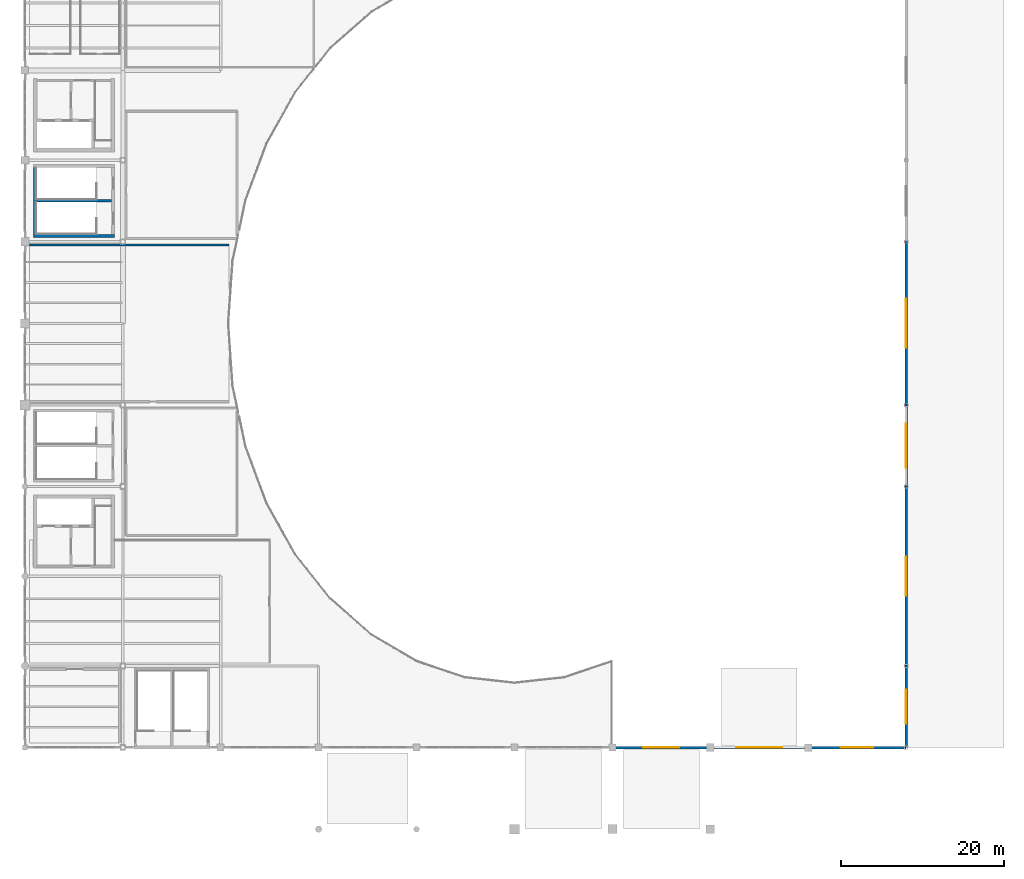
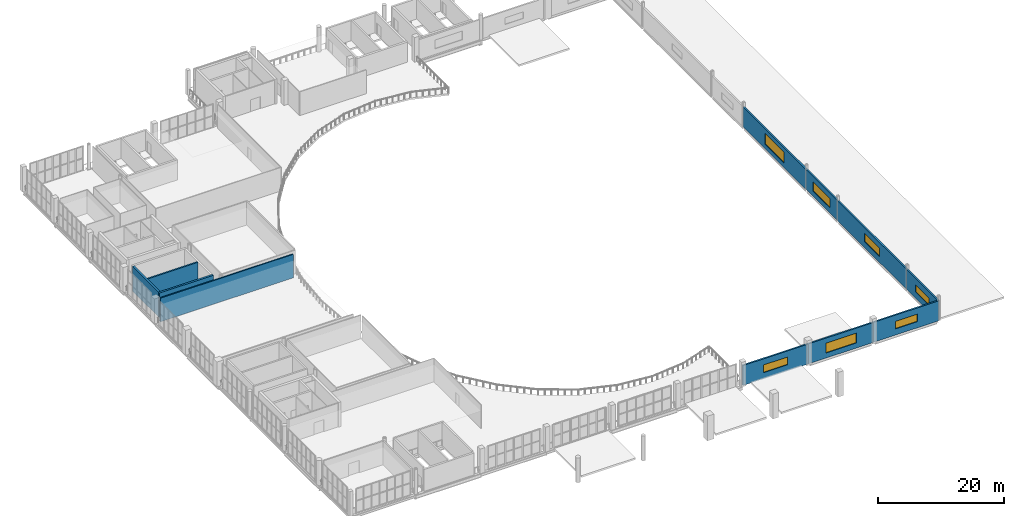
# One storey, part 38 of 49: 11 walls, 7 windows, 7 openings.
"""IFC4 building model written with IfcOpenShell, lengths in metres."""

import ifcopenshell
import ifcopenshell.guid

model = None  # the IFC model being written
_history = None  # IfcOwnerHistory: only IFC2X3 demands one
_inside = {}  # id of a spatial element -> (the spatial element, [elements in it])
_under = {}  # id of a project, library or spatial element -> (it, [spatial elements below it])
_declared = {}  # id of a project -> (the project, [libraries it declares])
_typed = {}  # id of a type object -> (the type object, [elements of that type])
_made_of = {}  # id of a material, layer set ... -> (it, [elements and type objects made of it])


def new_model(schema):
    """Start an empty IFC model of exactly this schema.

    Asked for "IFC4X3", IfcOpenShell would pick the latest addendum, in which some entities
    have other attributes; the version numbers below select the first issue.
    IFC2X3 requires an IfcOwnerHistory on every rooted entity: one is made here for all.
    """
    global model, _history
    if schema == "IFC4X3":
        model = ifcopenshell.file(schema_version=(4, 3, 0, 0))
    else:
        model = ifcopenshell.file(schema=schema)
    _inside.clear()
    _under.clear()
    _declared.clear()
    _typed.clear()
    _made_of.clear()
    _history = None
    if model.schema == "IFC2X3":
        org = make("IfcOrganization", Name="unknown")
        user = make(
            "IfcPersonAndOrganization",
            ThePerson=make("IfcPerson", FamilyName="unknown"),
            TheOrganization=org,
        )
        app = make(
            "IfcApplication",
            ApplicationDeveloper=org,
            Version="unknown",
            ApplicationFullName="unknown",
            ApplicationIdentifier="unknown",
        )
        _history = make(
            "IfcOwnerHistory",
            OwningUser=user,
            OwningApplication=app,
            ChangeAction="ADDED",
            CreationDate=0,
        )
    return model


def make(cls, **values):
    """One entity of the class cls with the attributes given. An attribute that is None is left unset."""
    return model.create_entity(
        cls, **{name: value for name, value in values.items() if value is not None}
    )


def rooted(cls, **values):
    """An entity with a GlobalId (a new one), such as an element, a storey or a relation."""
    return make(cls, GlobalId=ifcopenshell.guid.new(), OwnerHistory=_history, **values)


def si_unit(unit_type, name, prefix=None):
    """IfcSIUnit, for example si_unit("LENGTHUNIT", "METRE", prefix="MILLI")."""
    return make("IfcSIUnit", UnitType=unit_type, Prefix=prefix, Name=name)


def assignment(units):
    """IfcUnitAssignment: the units of a project."""
    return None if units is None else make("IfcUnitAssignment", Units=units)


def point(xyz):
    """IfcCartesianPoint."""
    return None if xyz is None else make("IfcCartesianPoint", Coordinates=xyz)


def direction(xyz):
    """IfcDirection."""
    return None if xyz is None else make("IfcDirection", DirectionRatios=xyz)


def frame(location, z_axis=None, x_axis=None):
    """IfcAxis2Placement3D, a coordinate frame: its origin and axes. An axis left out is left unset."""
    return make(
        "IfcAxis2Placement3D",
        Location=point(location),
        Axis=direction(z_axis),
        RefDirection=direction(x_axis),
    )


def frame_2d(location, x_axis=None):
    """IfcAxis2Placement2D, a coordinate frame in the plane: its origin and x axis."""
    return make(
        "IfcAxis2Placement2D", Location=point(location), RefDirection=direction(x_axis)
    )


def origin():
    """The frame at (0, 0, 0) with its axes left unset."""
    return frame((0.0, 0.0, 0.0))


def place(relative_to, where):
    """IfcLocalPlacement: puts the frame where relative to a parent placement (None: the world)."""
    return make(
        "IfcLocalPlacement", PlacementRelTo=relative_to, RelativePlacement=where
    )


def context(
    kind, dimensions, precision=None, world=None, true_north=None, identifier=None
):
    """IfcGeometricRepresentationContext, for example the 3D "Model" context."""
    return make(
        "IfcGeometricRepresentationContext",
        ContextIdentifier=identifier,
        ContextType=kind,
        CoordinateSpaceDimension=dimensions,
        Precision=precision,
        WorldCoordinateSystem=world,
        TrueNorth=true_north,
    )


def subcontext(parent, identifier, kind, view, scale=None):
    """IfcGeometricRepresentationSubContext, for example "Body" below "Model"."""
    return make(
        "IfcGeometricRepresentationSubContext",
        ContextIdentifier=identifier,
        ContextType=kind,
        ParentContext=parent,
        TargetScale=scale,
        TargetView=view,
    )


def project(units=None, contexts=None):
    """IfcProject with its units and contexts."""
    return rooted(
        "IfcProject",
        Name="project",
        RepresentationContexts=contexts,
        UnitsInContext=assignment(units),
    )


def spatial(cls, under=None, at=None, **own):
    """A site, building, storey or space (cls), placed at a placement, below another one or the project."""
    s = rooted(cls, ObjectPlacement=at, **own)
    if under is not None:
        _under.setdefault(under.id(), (under, []))[1].append(s)
    return s


def profile(cls, at=None, kind="AREA", **sizes):
    """A parametric profile (cls). Its sizes go by their IFC names, for example OverallWidth=200.0."""
    return make(cls, ProfileType=kind, Position=at, **sizes)


def rectangle(**sizes):
    """IfcRectangleProfileDef."""
    return profile("IfcRectangleProfileDef", **sizes)


def extrude(swept, where, along, depth):
    """IfcExtrudedAreaSolid: the profile swept, set in the frame where, extruded along a direction by depth."""
    return make(
        "IfcExtrudedAreaSolid",
        SweptArea=swept,
        Position=where,
        ExtrudedDirection=direction(along),
        Depth=depth,
    )


def shape(context_of_items, identifier, shape_type, items):
    """IfcShapeRepresentation: the items that make up one representation, for example the "Body"."""
    return make(
        "IfcShapeRepresentation",
        ContextOfItems=context_of_items,
        RepresentationIdentifier=identifier,
        RepresentationType=shape_type,
        Items=items,
    )


def material(Name=None, Category=None):
    """IfcMaterial."""
    return make("IfcMaterial", Name=Name, Category=Category)


def layer(
    of_material, thickness, ventilated=None, Name=None, Category=None, Priority=None
):
    """IfcMaterialLayer: one layer of a wall or slab, of a material (None: an air gap)."""
    return make(
        "IfcMaterialLayer",
        Material=of_material,
        LayerThickness=thickness,
        IsVentilated=ventilated,
        Name=Name,
        Category=Category,
        Priority=Priority,
    )


def layer_set(layers, Name=None):
    """IfcMaterialLayerSet."""
    return make("IfcMaterialLayerSet", MaterialLayers=layers, LayerSetName=Name)


def made_of(thing, what):
    """Note that an element or type object is made of a material, layer set ...; save() writes the relation."""
    if what is not None:
        _made_of.setdefault(what.id(), (what, []))[1].append(thing)
    return thing


def type_object(cls, material=None, **own):
    """A type object (cls), such as IfcWallType, which elements share."""
    return made_of(rooted(cls, **own), material)


def element(
    cls,
    number,
    at=None,
    inside=None,
    cuts=None,
    type_object=None,
    material=None,
    context=None,
    identifier="Body",
    shape_type=None,
    held_by="IfcProductDefinitionShape",
    body=None,
    shapes=None,
    **own,
):
    """One element of the class cls, such as IfcWall. Its Tag is "e" and its number.

    at: its placement. inside: the storey or other place that contains it. cuts: it is an
    opening in that element (IfcRelVoidsElement). A single representation is given by context,
    identifier, shape_type and body (its items); several are given by shapes. held_by: the class
    of the entity that holds the representations. save() writes the other relations.
    """
    e = rooted(cls, Tag="e%d" % number, ObjectPlacement=at, **own)
    if body is not None:
        shapes = [shape(context, identifier, shape_type, body)]
    if shapes is not None:
        e.Representation = make(held_by, Representations=shapes)
    if inside is not None:
        _inside.setdefault(inside.id(), (inside, []))[1].append(e)
    if cuts is not None:
        rooted(
            "IfcRelVoidsElement", RelatingBuildingElement=cuts, RelatedOpeningElement=e
        )
    if type_object is not None:
        _typed.setdefault(type_object.id(), (type_object, []))[1].append(e)
    return made_of(e, material)


def fill(opening, filler):
    """IfcRelFillsElement: the door or window that sits in an opening."""
    return rooted(
        "IfcRelFillsElement",
        RelatingOpeningElement=opening,
        RelatedBuildingElement=filler,
    )


def aggregate(whole, parts):
    """IfcRelAggregates: a whole, such as a stair, and the parts it consists of."""
    return rooted("IfcRelAggregates", RelatingObject=whole, RelatedObjects=parts)


def save(model, path):
    """Write the relations noted so far, then the file.

    IfcRelAggregates (storeys below a building ...), IfcRelContainedInSpatialStructure (elements
    in a storey), IfcRelDefinesByType, IfcRelAssociatesMaterial and IfcRelDeclares: one each for
    every whole, place, type object, material and project.
    """
    for whole, parts in _under.values():
        aggregate(whole, parts)
    for where, things in _inside.values():
        rooted(
            "IfcRelContainedInSpatialStructure",
            RelatedElements=things,
            RelatingStructure=where,
        )
    for kind, things in _typed.values():
        rooted("IfcRelDefinesByType", RelatedObjects=things, RelatingType=kind)
    for what, things in _made_of.values():
        rooted("IfcRelAssociatesMaterial", RelatedObjects=things, RelatingMaterial=what)
    for by, libraries in _declared.values():
        rooted("IfcRelDeclares", RelatingContext=by, RelatedDefinitions=libraries)
    model.write(path)


model = new_model("IFC4")

# Units and contexts
model_context = context("Model", 3, precision=1e-05, world=origin(), true_north=direction((0.0, 1.0)))
body_context = subcontext(model_context, "Body", "Model", "MODEL_VIEW")
ifc_project = project(units=[si_unit("LENGTHUNIT", "METRE"), si_unit("AREAUNIT", "SQUARE_METRE"), si_unit("VOLUMEUNIT", "CUBIC_METRE"), si_unit("PLANEANGLEUNIT", "RADIAN"), si_unit("MASSUNIT", "GRAM", prefix="KILO")], contexts=[model_context])

# Site, building, storey
site_placement = place(None, origin())
site = spatial("IfcSite", under=ifc_project, at=site_placement, CompositionType="ELEMENT")
building_placement = place(site_placement, origin())
building = spatial("IfcBuilding", under=site, at=building_placement, Name="Brinegate Civic Arena", CompositionType="ELEMENT")
storey_placement = place(building_placement, frame((0.0, 0.0, 24.60009765625)))
storey = spatial("IfcBuildingStorey", under=building, at=storey_placement, Name="L05", CompositionType="ELEMENT", Elevation=24.60009765625)

# Walls
ifc_material_1 = material(Name="Concrete C50/60", Category="concrete")
ifc_layer_1 = layer(ifc_material_1, 0.35009765625, Name="Concrete C50/60")
ifc_layer_set_1 = layer_set([ifc_layer_1], Name="Concrete C50/60")
wall_type_1 = type_object("IfcWallType", Name="WALL-CORE-SHEAR-350", PredefinedType="SHEAR", material=ifc_layer_set_1)
wall_1_placement = place(storey_placement, frame((49.02490234375, 72.699951171875, 0.0), z_axis=(0.0, 0.0, 1.0), x_axis=(1.0, 0.0, 0.0)))
element("IfcWall", 1, at=wall_1_placement, inside=storey, type_object=wall_type_1, Name="Stair ST-07 South Shear Wall L05 (WBC-93)", PredefinedType="SHEAR", context=body_context, shape_type="SweptSolid", body=[
    extrude(rectangle(XDim=9.9501953125, YDim=0.35009765625, at=frame_2d((4.97509765625, 0.0))), origin(), (0.0, 0.0, 1.0), 4.7998046875),
])
wall_2_placement = place(storey_placement, frame((49.199951171875, 72.875, 0.0), z_axis=(0.0, 0.0, 1.0), x_axis=(0.0, 1.0, 0.0)))
element("IfcWall", 2, at=wall_2_placement, inside=storey, type_object=wall_type_1, Name="Stair ST-07 West Shear Wall L05 (WBC-95)", PredefinedType="SHEAR", context=body_context, shape_type="SweptSolid", body=[
    extrude(rectangle(XDim=8.25, YDim=0.35009765625, at=frame_2d((4.125, 0.0))), origin(), (0.0, 0.0, 1.0), 4.7998046875),
])

# Wall, opening, window
ifc_material_2 = material(Name="Precast concrete C45/55", Category="concrete")
ifc_layer_2 = layer(ifc_material_2, 0.284912109375, Name="Precast concrete C45/55")
ifc_layer_set_2 = layer_set([ifc_layer_2], Name="Precast concrete C45/55")
wall_type_2 = type_object("IfcWallType", Name="WALL-EXT-PRECAST-285", PredefinedType="SOLIDWALL", material=ifc_layer_set_2)
wall_3_placement = place(storey_placement, frame((156.0, 10.0, 0.0), z_axis=(0.0, 0.0, 1.0), x_axis=(0.0, 1.0, 0.0)))
wall_3 = element("IfcWall", 3, at=wall_3_placement, inside=storey, type_object=wall_type_2, Name="Space-Frame Crown Wall EW-L05-EDRM-1 (WBA-48)", PredefinedType="SOLIDWALL", context=body_context, shape_type="SweptSolid", body=[
    extrude(rectangle(XDim=10.0, YDim=0.284912109375, at=frame_2d((5.0, 0.0))), origin(), (0.0, 0.0, 1.0), 3.8798828125),
])
opening_1_placement = place(wall_3_placement, frame((2.89990234375, 0.0, 1.239990234375)))
opening_1 = element("IfcOpeningElement", 4, at=opening_1_placement, cuts=wall_3, Name="Opening WN-0033", PredefinedType="OPENING", context=body_context, shape_type="SweptSolid", body=[
    extrude(rectangle(XDim=4.199951171875, YDim=1.39990234375, at=frame_2d((2.10009765625, 0.699951171875))), frame((0.0, 0.15234375, 0.0), z_axis=(0.0, -1.0, 0.0), x_axis=(1.0, 0.0, 0.0)), (0.0, 0.0, 1.0), 0.304931640625),
])
ifc_material_3 = material(Name="Hurricane laminated low-E glass", Category="glass")
window_type_1 = type_object("IfcWindowType", Name="WIN-CLERESTORY-4200X1400", PartitioningType="SINGLE_PANEL", PredefinedType="WINDOW", material=ifc_material_3)
window_1_placement = place(opening_1_placement, origin())
window_1 = element("IfcWindow", 5, at=window_1_placement, inside=storey, type_object=window_type_1, Name="Clerestory Window WN-0033", OverallHeight=1.39990234375, OverallWidth=4.199951171875, PartitioningType="SINGLE_PANEL", PredefinedType="WINDOW", context=body_context, shape_type="SweptSolid", body=[
    extrude(rectangle(XDim=4.199951171875, YDim=1.39990234375, at=frame_2d((2.10009765625, 0.699951171875))), frame((0.0, 0.030029296875, 0.0), z_axis=(0.0, -1.0, 0.0), x_axis=(1.0, 0.0, 0.0)), (0.0, 0.0, 1.0), 0.06005859375),
])
fill(opening_1, window_1)

wall_4_placement = place(storey_placement, frame((156.0, 20.0, 0.0), z_axis=(0.0, 0.0, 1.0), x_axis=(0.0, 1.0, 0.0)))
wall_4 = element("IfcWall", 6, at=wall_4_placement, inside=storey, type_object=wall_type_2, Name="Space-Frame Crown Wall EW-L05-EDRM-2 (WBA-52)", PredefinedType="SOLIDWALL", context=body_context, shape_type="SweptSolid", body=[
    extrude(rectangle(XDim=22.0, YDim=0.284912109375, at=frame_2d((11.0, 0.0))), origin(), (0.0, 0.0, 1.0), 3.8798828125),
])
opening_2_placement = place(wall_4_placement, frame((8.60009765625, 0.0, 1.139892578125)))
opening_2 = element("IfcOpeningElement", 7, at=opening_2_placement, cuts=wall_4, Name="Opening WN-0034", PredefinedType="OPENING", context=body_context, shape_type="SweptSolid", body=[
    extrude(rectangle(XDim=4.800048828125, YDim=1.60009765625, at=frame_2d((2.39990234375, 0.800048828125))), frame((0.0, 0.15234375, 0.0), z_axis=(0.0, -1.0, 0.0), x_axis=(1.0, 0.0, 0.0)), (0.0, 0.0, 1.0), 0.304931640625),
])
window_type_2 = type_object("IfcWindowType", Name="WIN-CLERESTORY-4800X1600", PartitioningType="SINGLE_PANEL", PredefinedType="WINDOW", material=ifc_material_3)
window_2_placement = place(opening_2_placement, origin())
window_2 = element("IfcWindow", 8, at=window_2_placement, inside=storey, type_object=window_type_2, Name="Clerestory Window WN-0034", OverallHeight=1.60009765625, OverallWidth=4.800048828125, PartitioningType="SINGLE_PANEL", PredefinedType="WINDOW", context=body_context, shape_type="SweptSolid", body=[
    extrude(rectangle(XDim=4.800048828125, YDim=1.60009765625, at=frame_2d((2.39990234375, 0.800048828125))), frame((0.0, 0.030029296875, 0.0), z_axis=(0.0, -1.0, 0.0), x_axis=(1.0, 0.0, 0.0)), (0.0, 0.0, 1.0), 0.06005859375),
])
fill(opening_2, window_2)

wall_5_placement = place(storey_placement, frame((156.0, 42.0, 0.0), z_axis=(0.0, 0.0, 1.0), x_axis=(0.0, 1.0, 0.0)))
wall_5 = element("IfcWall", 9, at=wall_5_placement, inside=storey, type_object=wall_type_2, Name="Space-Frame Crown Wall EW-L05-EDRM-3 (WBA-56)", PredefinedType="SOLIDWALL", context=body_context, shape_type="SweptSolid", body=[
    extrude(rectangle(XDim=10.0, YDim=0.284912109375, at=frame_2d((5.0, 0.0))), origin(), (0.0, 0.0, 1.0), 3.8798828125),
])
opening_3_placement = place(wall_5_placement, frame((2.300048828125, 0.0, 1.0400390625)))
opening_3 = element("IfcOpeningElement", 10, at=opening_3_placement, cuts=wall_5, Name="Opening WN-0035", PredefinedType="OPENING", context=body_context, shape_type="SweptSolid", body=[
    extrude(rectangle(XDim=5.39990234375, YDim=1.800048828125, at=frame_2d((2.699951171875, 0.89990234375))), frame((0.0, 0.15234375, 0.0), z_axis=(0.0, -1.0, 0.0), x_axis=(1.0, 0.0, 0.0)), (0.0, 0.0, 1.0), 0.304931640625),
])
window_type_3 = type_object("IfcWindowType", Name="WIN-CLERESTORY-5400X1800", PartitioningType="SINGLE_PANEL", PredefinedType="WINDOW", material=ifc_material_3)
window_3_placement = place(opening_3_placement, origin())
window_3 = element("IfcWindow", 11, at=window_3_placement, inside=storey, type_object=window_type_3, Name="Clerestory Window WN-0035", OverallHeight=1.800048828125, OverallWidth=5.39990234375, PartitioningType="SINGLE_PANEL", PredefinedType="WINDOW", context=body_context, shape_type="SweptSolid", body=[
    extrude(rectangle(XDim=5.39990234375, YDim=1.800048828125, at=frame_2d((2.699951171875, 0.89990234375))), frame((0.0, 0.030029296875, 0.0), z_axis=(0.0, -1.0, 0.0), x_axis=(1.0, 0.0, 0.0)), (0.0, 0.0, 1.0), 0.06005859375),
])
fill(opening_3, window_3)

wall_6_placement = place(storey_placement, frame((156.0, 52.0, 0.0), z_axis=(0.0, 0.0, 1.0), x_axis=(0.0, 1.0, 0.0)))
wall_6 = element("IfcWall", 12, at=wall_6_placement, inside=storey, type_object=wall_type_2, Name="Space-Frame Crown Wall EW-L05-EDRM-4 (WBA-60)", PredefinedType="SOLIDWALL", context=body_context, shape_type="SweptSolid", body=[
    extrude(rectangle(XDim=20.0, YDim=0.284912109375, at=frame_2d((10.0, 0.0))), origin(), (0.0, 0.0, 1.0), 3.8798828125),
])
opening_4_placement = place(wall_6_placement, frame((7.0, 0.0, 0.889892578125)))
opening_4 = element("IfcOpeningElement", 13, at=opening_4_placement, cuts=wall_6, Name="Opening WN-0036", PredefinedType="OPENING", context=body_context, shape_type="SweptSolid", body=[
    extrude(rectangle(XDim=6.0, YDim=2.10009765625, at=frame_2d((3.0, 1.050048828125))), frame((0.0, 0.15234375, 0.0), z_axis=(0.0, -1.0, 0.0), x_axis=(1.0, 0.0, 0.0)), (0.0, 0.0, 1.0), 0.304931640625),
])
window_type_4 = type_object("IfcWindowType", Name="WIN-CLERESTORY-6000X2100", PartitioningType="SINGLE_PANEL", PredefinedType="WINDOW", material=ifc_material_3)
window_4_placement = place(opening_4_placement, origin())
window_4 = element("IfcWindow", 14, at=window_4_placement, inside=storey, type_object=window_type_4, Name="Clerestory Window WN-0036", OverallHeight=2.10009765625, OverallWidth=6.0, PartitioningType="SINGLE_PANEL", PredefinedType="WINDOW", context=body_context, shape_type="SweptSolid", body=[
    extrude(rectangle(XDim=6.0, YDim=2.10009765625, at=frame_2d((3.0, 1.050048828125))), frame((0.0, 0.030029296875, 0.0), z_axis=(0.0, -1.0, 0.0), x_axis=(1.0, 0.0, 0.0)), (0.0, 0.0, 1.0), 0.06005859375),
])
fill(opening_4, window_4)

wall_7_placement = place(storey_placement, frame((120.0, 10.0, 0.0), z_axis=(0.0, 0.0, 1.0), x_axis=(1.0, 0.0, 0.0)))
wall_7 = element("IfcWall", 15, at=wall_7_placement, inside=storey, type_object=wall_type_2, Name="Space-Frame Crown Wall EW-L05-GBL-S06 (WBA-84)", PredefinedType="SOLIDWALL", context=body_context, shape_type="SweptSolid", body=[
    extrude(rectangle(XDim=12.0, YDim=0.284912109375, at=frame_2d((6.0, 0.0))), origin(), (0.0, 0.0, 1.0), 3.8798828125),
])
opening_5_placement = place(wall_7_placement, frame((3.800048828125, 0.0, 1.18994140625)))
opening_5 = element("IfcOpeningElement", 16, at=opening_5_placement, cuts=wall_7, Name="Opening WN-0040", PredefinedType="OPENING", context=body_context, shape_type="SweptSolid", body=[
    extrude(rectangle(XDim=4.39990234375, YDim=1.5, at=frame_2d((2.199951171875, 0.75))), frame((0.0, 0.15234375, 0.0), z_axis=(0.0, -1.0, 0.0), x_axis=(1.0, 0.0, 0.0)), (0.0, 0.0, 1.0), 0.304931640625),
])
window_type_5 = type_object("IfcWindowType", Name="WIN-CLERESTORY-4400X1500", PartitioningType="SINGLE_PANEL", PredefinedType="WINDOW", material=ifc_material_3)
window_5_placement = place(opening_5_placement, origin())
window_5 = element("IfcWindow", 17, at=window_5_placement, inside=storey, type_object=window_type_5, Name="Clerestory Window WN-0040", OverallHeight=1.5, OverallWidth=4.39990234375, PartitioningType="SINGLE_PANEL", PredefinedType="WINDOW", context=body_context, shape_type="SweptSolid", body=[
    extrude(rectangle(XDim=4.39990234375, YDim=1.5, at=frame_2d((2.199951171875, 0.75))), frame((0.0, 0.030029296875, 0.0), z_axis=(0.0, -1.0, 0.0), x_axis=(1.0, 0.0, 0.0)), (0.0, 0.0, 1.0), 0.06005859375),
])
fill(opening_5, window_5)

wall_8_placement = place(storey_placement, frame((132.0, 10.0, 0.0), z_axis=(0.0, 0.0, 1.0), x_axis=(1.0, 0.0, 0.0)))
wall_8 = element("IfcWall", 18, at=wall_8_placement, inside=storey, type_object=wall_type_2, Name="Space-Frame Crown Wall EW-L05-GBL-S07 (WBA-88)", PredefinedType="SOLIDWALL", context=body_context, shape_type="SweptSolid", body=[
    extrude(rectangle(XDim=12.0, YDim=0.284912109375, at=frame_2d((6.0, 0.0))), origin(), (0.0, 0.0, 1.0), 3.8798828125),
])
opening_6_placement = place(wall_8_placement, frame((3.199951171875, 0.0, 0.989990234375)))
opening_6 = element("IfcOpeningElement", 19, at=opening_6_placement, cuts=wall_8, Name="Opening WN-0042", PredefinedType="OPENING", context=body_context, shape_type="SweptSolid", body=[
    extrude(rectangle(XDim=5.60009765625, YDim=1.89990234375, at=frame_2d((2.800048828125, 0.949951171875))), frame((0.0, 0.15234375, 0.0), z_axis=(0.0, -1.0, 0.0), x_axis=(1.0, 0.0, 0.0)), (0.0, 0.0, 1.0), 0.304931640625),
])
window_type_6 = type_object("IfcWindowType", Name="WIN-CLERESTORY-5600X1900", PartitioningType="SINGLE_PANEL", PredefinedType="WINDOW", material=ifc_material_3)
window_6_placement = place(opening_6_placement, origin())
window_6 = element("IfcWindow", 20, at=window_6_placement, inside=storey, type_object=window_type_6, Name="Clerestory Window WN-0042", OverallHeight=1.89990234375, OverallWidth=5.60009765625, PartitioningType="SINGLE_PANEL", PredefinedType="WINDOW", context=body_context, shape_type="SweptSolid", body=[
    extrude(rectangle(XDim=5.60009765625, YDim=1.89990234375, at=frame_2d((2.800048828125, 0.949951171875))), frame((0.0, 0.030029296875, 0.0), z_axis=(0.0, -1.0, 0.0), x_axis=(1.0, 0.0, 0.0)), (0.0, 0.0, 1.0), 0.06005859375),
])
fill(opening_6, window_6)

wall_9_placement = place(storey_placement, frame((144.0, 10.0, 0.0), z_axis=(0.0, 0.0, 1.0), x_axis=(1.0, 0.0, 0.0)))
wall_9 = element("IfcWall", 21, at=wall_9_placement, inside=storey, type_object=wall_type_2, Name="Space-Frame Crown Wall EW-L05-GBL-S08 (WBA-92)", PredefinedType="SOLIDWALL", context=body_context, shape_type="SweptSolid", body=[
    extrude(rectangle(XDim=12.0, YDim=0.284912109375, at=frame_2d((6.0, 0.0))), origin(), (0.0, 0.0, 1.0), 3.8798828125),
])
opening_7_placement = place(wall_9_placement, frame((4.0, 0.0, 1.215087890625)))
opening_7 = element("IfcOpeningElement", 22, at=opening_7_placement, cuts=wall_9, Name="Opening WN-0044", PredefinedType="OPENING", context=body_context, shape_type="SweptSolid", body=[
    extrude(rectangle(XDim=4.0, YDim=1.449951171875, at=frame_2d((2.0, 0.72509765625))), frame((0.0, 0.15234375, 0.0), z_axis=(0.0, -1.0, 0.0), x_axis=(1.0, 0.0, 0.0)), (0.0, 0.0, 1.0), 0.304931640625),
])
window_type_7 = type_object("IfcWindowType", Name="WIN-CLERESTORY-4000X1450", PartitioningType="SINGLE_PANEL", PredefinedType="WINDOW", material=ifc_material_3)
window_7_placement = place(opening_7_placement, origin())
window_7 = element("IfcWindow", 23, at=window_7_placement, inside=storey, type_object=window_type_7, Name="Clerestory Window WN-0044", OverallHeight=1.449951171875, OverallWidth=4.0, PartitioningType="SINGLE_PANEL", PredefinedType="WINDOW", context=body_context, shape_type="SweptSolid", body=[
    extrude(rectangle(XDim=4.0, YDim=1.449951171875, at=frame_2d((2.0, 0.72509765625))), frame((0.0, 0.030029296875, 0.0), z_axis=(0.0, -1.0, 0.0), x_axis=(1.0, 0.0, 0.0)), (0.0, 0.0, 1.0), 0.06005859375),
])
fill(opening_7, window_7)

# Walls
ifc_material_4 = material(Name="Concrete C40/50", Category="concrete")
ifc_layer_3 = layer(ifc_material_4, 0.22998046875, Name="Concrete C40/50")
ifc_layer_set_3 = layer_set([ifc_layer_3], Name="Concrete C40/50")
wall_type_3 = type_object("IfcWallType", Name="WALL-INT-SOLID-230", PredefinedType="SOLIDWALL", material=ifc_layer_set_3)
wall_10_placement = place(storey_placement, frame((48.60009765625, 71.60009765625, 0.0), z_axis=(0.0, 0.0, 1.0), x_axis=(1.0, 0.0, 0.0)))
element("IfcWall", 24, at=wall_10_placement, inside=storey, type_object=wall_type_3, Name="World Feed Television Broadcast Production Gallery Partition Wall E2 (WBK-49)", PredefinedType="SOLIDWALL", context=body_context, shape_type="SweptSolid", body=[
    extrude(rectangle(XDim=24.39990234375, YDim=0.22998046875, at=frame_2d((12.199951171875, 0.0))), origin(), (0.0, 0.0, 1.0), 4.579833984375),
])
ifc_layer_4 = layer(ifc_material_1, 0.2900390625, Name="Concrete C50/60")
ifc_layer_set_4 = layer_set([ifc_layer_4], Name="Concrete C50/60")
wall_type_4 = type_object("IfcWallType", Name="WALL-STAIR-SHEAR-290", PredefinedType="SHEAR", material=ifc_layer_set_4)
wall_11_placement = place(storey_placement, frame((49.375, 77.0, 0.0), z_axis=(0.0, 0.0, 1.0), x_axis=(1.0, 0.0, 0.0)))
element("IfcWall", 25, at=wall_11_placement, inside=storey, type_object=wall_type_4, Name="Stair ST-07 Central Dividing Shear Wall L05 (WBC-97)", PredefinedType="SHEAR", context=body_context, shape_type="SweptSolid", body=[
    extrude(rectangle(XDim=9.25, YDim=0.2900390625, at=frame_2d((4.625, 0.0))), origin(), (0.0, 0.0, 1.0), 4.7998046875),
])

save(model, "model.ifc")
